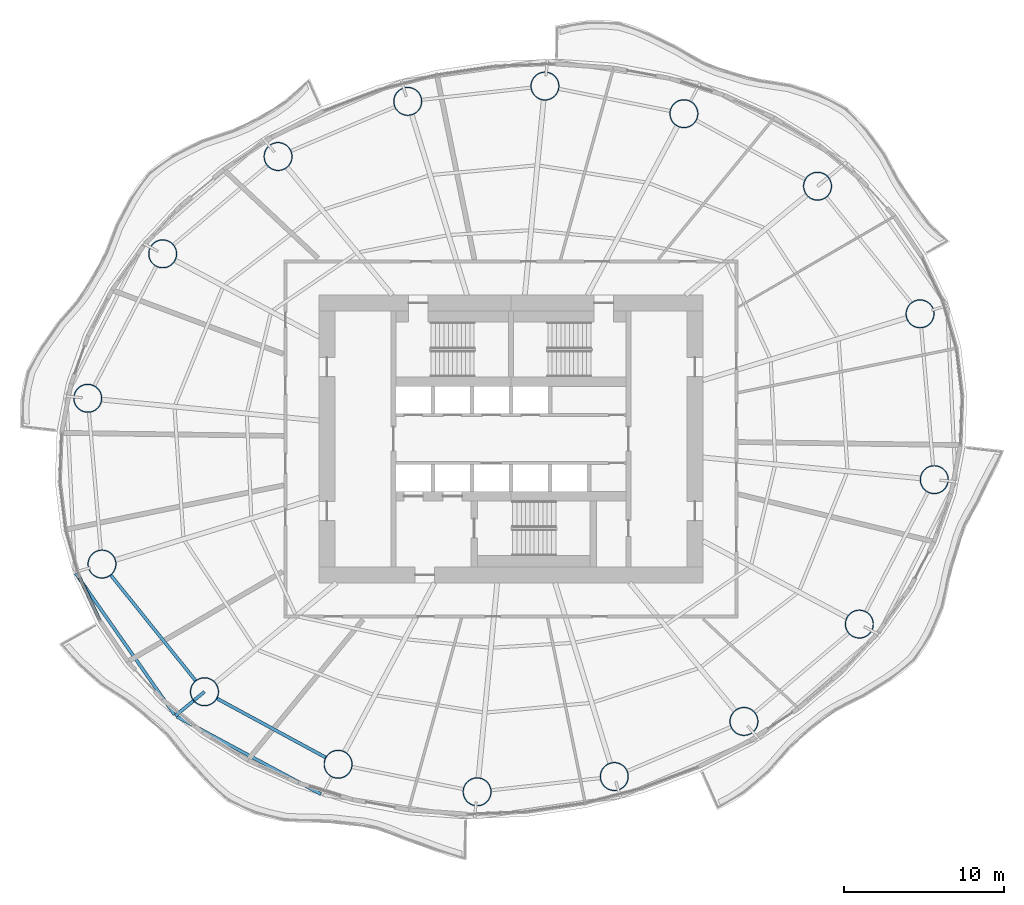
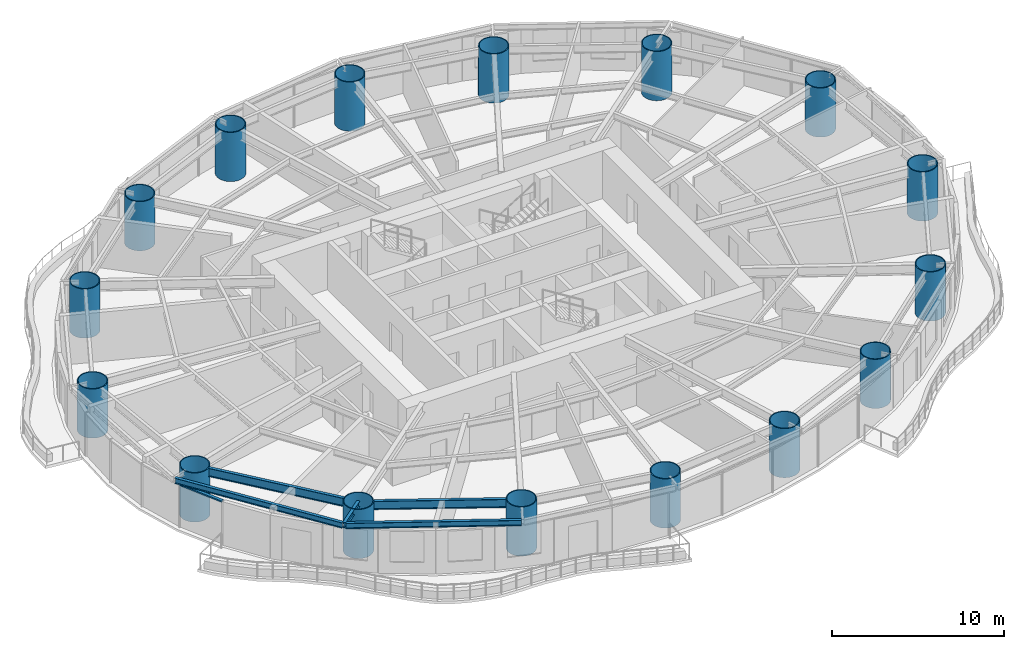
# One storey, part 1 of 16: 16 columns, 5 beams, 1 member, 1 element without a shape of its own.
"""IFC4 building model written with IfcOpenShell, lengths in metres."""

import ifcopenshell
import ifcopenshell.guid

model = None  # the IFC model being written
_history = None  # IfcOwnerHistory: only IFC2X3 demands one
_inside = {}  # id of a spatial element -> (the spatial element, [elements in it])
_under = {}  # id of a project, library or spatial element -> (it, [spatial elements below it])
_declared = {}  # id of a project -> (the project, [libraries it declares])
_typed = {}  # id of a type object -> (the type object, [elements of that type])
_made_of = {}  # id of a material, layer set ... -> (it, [elements and type objects made of it])


def new_model(schema):
    """Start an empty IFC model of exactly this schema.

    Asked for "IFC4X3", IfcOpenShell would pick the latest addendum, in which some entities
    have other attributes; the version numbers below select the first issue.
    IFC2X3 requires an IfcOwnerHistory on every rooted entity: one is made here for all.
    """
    global model, _history
    if schema == "IFC4X3":
        model = ifcopenshell.file(schema_version=(4, 3, 0, 0))
    else:
        model = ifcopenshell.file(schema=schema)
    _inside.clear()
    _under.clear()
    _declared.clear()
    _typed.clear()
    _made_of.clear()
    _history = None
    if model.schema == "IFC2X3":
        org = make("IfcOrganization", Name="unknown")
        user = make(
            "IfcPersonAndOrganization",
            ThePerson=make("IfcPerson", FamilyName="unknown"),
            TheOrganization=org,
        )
        app = make(
            "IfcApplication",
            ApplicationDeveloper=org,
            Version="unknown",
            ApplicationFullName="unknown",
            ApplicationIdentifier="unknown",
        )
        _history = make(
            "IfcOwnerHistory",
            OwningUser=user,
            OwningApplication=app,
            ChangeAction="ADDED",
            CreationDate=0,
        )
    return model


def make(cls, **values):
    """One entity of the class cls with the attributes given. An attribute that is None is left unset."""
    return model.create_entity(
        cls, **{name: value for name, value in values.items() if value is not None}
    )


def rooted(cls, **values):
    """An entity with a GlobalId (a new one), such as an element, a storey or a relation."""
    return make(cls, GlobalId=ifcopenshell.guid.new(), OwnerHistory=_history, **values)


def si_unit(unit_type, name, prefix=None):
    """IfcSIUnit, for example si_unit("LENGTHUNIT", "METRE", prefix="MILLI")."""
    return make("IfcSIUnit", UnitType=unit_type, Prefix=prefix, Name=name)


def assignment(units):
    """IfcUnitAssignment: the units of a project."""
    return None if units is None else make("IfcUnitAssignment", Units=units)


def point(xyz):
    """IfcCartesianPoint."""
    return None if xyz is None else make("IfcCartesianPoint", Coordinates=xyz)


def direction(xyz):
    """IfcDirection."""
    return None if xyz is None else make("IfcDirection", DirectionRatios=xyz)


def frame(location, z_axis=None, x_axis=None):
    """IfcAxis2Placement3D, a coordinate frame: its origin and axes. An axis left out is left unset."""
    return make(
        "IfcAxis2Placement3D",
        Location=point(location),
        Axis=direction(z_axis),
        RefDirection=direction(x_axis),
    )


def frame_2d(location, x_axis=None):
    """IfcAxis2Placement2D, a coordinate frame in the plane: its origin and x axis."""
    return make(
        "IfcAxis2Placement2D", Location=point(location), RefDirection=direction(x_axis)
    )


def origin():
    """The frame at (0, 0, 0) with its axes left unset."""
    return frame((0.0, 0.0, 0.0))


def origin_2d():
    """The frame at (0, 0) in the plane with its x axis left unset."""
    return frame_2d((0.0, 0.0))


def place(relative_to, where):
    """IfcLocalPlacement: puts the frame where relative to a parent placement (None: the world)."""
    return make(
        "IfcLocalPlacement", PlacementRelTo=relative_to, RelativePlacement=where
    )


def context(
    kind, dimensions, precision=None, world=None, true_north=None, identifier=None
):
    """IfcGeometricRepresentationContext, for example the 3D "Model" context."""
    return make(
        "IfcGeometricRepresentationContext",
        ContextIdentifier=identifier,
        ContextType=kind,
        CoordinateSpaceDimension=dimensions,
        Precision=precision,
        WorldCoordinateSystem=world,
        TrueNorth=true_north,
    )


def subcontext(parent, identifier, kind, view, scale=None):
    """IfcGeometricRepresentationSubContext, for example "Body" below "Model"."""
    return make(
        "IfcGeometricRepresentationSubContext",
        ContextIdentifier=identifier,
        ContextType=kind,
        ParentContext=parent,
        TargetScale=scale,
        TargetView=view,
    )


def project(units=None, contexts=None):
    """IfcProject with its units and contexts."""
    return rooted(
        "IfcProject",
        Name="project",
        RepresentationContexts=contexts,
        UnitsInContext=assignment(units),
    )


def spatial(cls, under=None, at=None, **own):
    """A site, building, storey or space (cls), placed at a placement, below another one or the project."""
    s = rooted(cls, ObjectPlacement=at, **own)
    if under is not None:
        _under.setdefault(under.id(), (under, []))[1].append(s)
    return s


def profile(cls, at=None, kind="AREA", **sizes):
    """A parametric profile (cls). Its sizes go by their IFC names, for example OverallWidth=200.0."""
    return make(cls, ProfileType=kind, Position=at, **sizes)


def rectangle(**sizes):
    """IfcRectangleProfileDef."""
    return profile("IfcRectangleProfileDef", **sizes)


def hollow_circle(**sizes):
    """IfcCircleHollowProfileDef."""
    return profile("IfcCircleHollowProfileDef", **sizes)


def i_section(**sizes):
    """IfcIShapeProfileDef."""
    return profile("IfcIShapeProfileDef", **sizes)


def extrude(swept, where, along, depth):
    """IfcExtrudedAreaSolid: the profile swept, set in the frame where, extruded along a direction by depth."""
    return make(
        "IfcExtrudedAreaSolid",
        SweptArea=swept,
        Position=where,
        ExtrudedDirection=direction(along),
        Depth=depth,
    )


def shape(context_of_items, identifier, shape_type, items):
    """IfcShapeRepresentation: the items that make up one representation, for example the "Body"."""
    return make(
        "IfcShapeRepresentation",
        ContextOfItems=context_of_items,
        RepresentationIdentifier=identifier,
        RepresentationType=shape_type,
        Items=items,
    )


def material(Name=None, Category=None):
    """IfcMaterial."""
    return make("IfcMaterial", Name=Name, Category=Category)


def material_profile(
    of_material, cross_section, Name=None, Category=None, Priority=None
):
    """IfcMaterialProfile: a cross section and its material."""
    return make(
        "IfcMaterialProfile",
        Name=Name,
        Material=of_material,
        Profile=cross_section,
        Priority=Priority,
        Category=Category,
    )


def profile_set(profiles, Name=None, composite=None):
    """IfcMaterialProfileSet."""
    return make(
        "IfcMaterialProfileSet",
        Name=Name,
        MaterialProfiles=profiles,
        CompositeProfile=composite,
    )


def made_of(thing, what):
    """Note that an element or type object is made of a material, layer set ...; save() writes the relation."""
    if what is not None:
        _made_of.setdefault(what.id(), (what, []))[1].append(thing)
    return thing


def type_object(cls, material=None, **own):
    """A type object (cls), such as IfcWallType, which elements share."""
    return made_of(rooted(cls, **own), material)


def element(
    cls,
    number,
    at=None,
    inside=None,
    cuts=None,
    type_object=None,
    material=None,
    context=None,
    identifier="Body",
    shape_type=None,
    held_by="IfcProductDefinitionShape",
    body=None,
    shapes=None,
    **own,
):
    """One element of the class cls, such as IfcWall. Its Tag is "e" and its number.

    at: its placement. inside: the storey or other place that contains it. cuts: it is an
    opening in that element (IfcRelVoidsElement). A single representation is given by context,
    identifier, shape_type and body (its items); several are given by shapes. held_by: the class
    of the entity that holds the representations. save() writes the other relations.
    """
    e = rooted(cls, Tag="e%d" % number, ObjectPlacement=at, **own)
    if body is not None:
        shapes = [shape(context, identifier, shape_type, body)]
    if shapes is not None:
        e.Representation = make(held_by, Representations=shapes)
    if inside is not None:
        _inside.setdefault(inside.id(), (inside, []))[1].append(e)
    if cuts is not None:
        rooted(
            "IfcRelVoidsElement", RelatingBuildingElement=cuts, RelatedOpeningElement=e
        )
    if type_object is not None:
        _typed.setdefault(type_object.id(), (type_object, []))[1].append(e)
    return made_of(e, material)


def aggregate(whole, parts):
    """IfcRelAggregates: a whole, such as a stair, and the parts it consists of."""
    return rooted("IfcRelAggregates", RelatingObject=whole, RelatedObjects=parts)


def save(model, path):
    """Write the relations noted so far, then the file.

    IfcRelAggregates (storeys below a building ...), IfcRelContainedInSpatialStructure (elements
    in a storey), IfcRelDefinesByType, IfcRelAssociatesMaterial and IfcRelDeclares: one each for
    every whole, place, type object, material and project.
    """
    for whole, parts in _under.values():
        aggregate(whole, parts)
    for where, things in _inside.values():
        rooted(
            "IfcRelContainedInSpatialStructure",
            RelatedElements=things,
            RelatingStructure=where,
        )
    for kind, things in _typed.values():
        rooted("IfcRelDefinesByType", RelatedObjects=things, RelatingType=kind)
    for what, things in _made_of.values():
        rooted("IfcRelAssociatesMaterial", RelatedObjects=things, RelatingMaterial=what)
    for by, libraries in _declared.values():
        rooted("IfcRelDeclares", RelatingContext=by, RelatedDefinitions=libraries)
    model.write(path)


model = new_model("IFC4")

# Units and contexts
model_context = context("Model", 3, precision=1e-05, world=origin(), true_north=direction((0.0, 1.0)))
body_context = subcontext(model_context, "Body", "Model", "MODEL_VIEW")
ifc_project = project(units=[si_unit("LENGTHUNIT", "METRE"), si_unit("AREAUNIT", "SQUARE_METRE"), si_unit("VOLUMEUNIT", "CUBIC_METRE"), si_unit("PLANEANGLEUNIT", "RADIAN"), si_unit("MASSUNIT", "GRAM", prefix="KILO")], contexts=[model_context])

# Site, building, storey
site_placement = place(None, origin())
site = spatial("IfcSite", under=ifc_project, at=site_placement, CompositionType="ELEMENT")
building_placement = place(site_placement, origin())
building = spatial("IfcBuilding", under=site, at=building_placement, Name="Vermilion Reach Broadcast Tower", CompositionType="ELEMENT")
storey_placement = place(building_placement, frame((0.0, 0.0, 80.39990234375)))
storey = spatial("IfcBuildingStorey", under=building, at=storey_placement, Name="L17", CompositionType="ELEMENT", Elevation=80.39990234375)

# Columns
ifc_material_1 = material(Name="Concrete C80 infill in steel S460NL tube", Category="concrete")
ifc_material_profile_1 = material_profile(ifc_material_1, hollow_circle(Radius=0.89990234375, WallThickness=0.06005859375, at=origin_2d()), Name="Concrete C80 infill in steel S460NL tube CFT 1800x60")
ifc_profile_set_1 = profile_set([ifc_material_profile_1], Name="Concrete C80 infill in steel S460NL tube")
column_type = type_object("IfcColumnType", Name="MC1 CFT 1800x60", PredefinedType="COLUMN", material=ifc_profile_set_1)
for number, where, z_axis, x_axis, name in (
    (1, (19.575439453125, 7.823974609375, 0.0), (0.0, 0.0, 1.0), (1.0, 0.0, 0.0), "Mega-column MC1-01"),
    (2, (13.166259765625, 15.804931640625, 0.0), (0.0, 0.0, 1.0), (1.0, 0.0, 0.0), "Mega-column MC1-02"),
    (3, (4.809814453125, 20.3388671875, 0.0), (0.0, 0.0, 1.0), (1.0, 0.0, 0.0), "Mega-column MC1-03"),
    (4, (-3.87939453125, 22.06396484375, 0.0), (0.0, 0.0, 1.0), (1.0, 0.0, 0.0), "Mega-column MC1-04"),
    (5, (-12.45751953125, 21.108154296875, 0.0), (0.0, 0.0, 1.0), (1.0, 0.0, 0.0), "Mega-column MC1-05"),
    (6, (-20.563232421875, 17.660400390625, 0.0), (0.0, 0.0, 1.0), (1.0, 0.0, 0.0), "Mega-column MC1-06"),
    (7, (-27.77978515625, 11.57568359375, 0.0), (0.0, 0.0, 1.0), (1.0, 0.0, 0.0), "Mega-column MC1-07"),
    (8, (-32.464111328125, 2.54345703125, 0.0), (0.0, 0.0, 1.0), (1.0, 0.0, 0.0), "Mega-column MC1-08"),
    (9, (-31.575439453125, -7.823974609375, 0.0), (0.0, 0.0, 1.0), (1.0, 0.0, 0.0), "Mega-column MC1-09"),
    (10, (-25.166259765625, -15.804931640625, 0.0), (0.0, 0.0, 1.0), (1.0, 0.0, 0.0), "Mega-column MC1-10"),
    (11, (-16.809814453125, -20.3388671875, 0.0), (0.0, 0.0, 1.0), (1.0, 0.0, 0.0), "Mega-column MC1-11"),
    (12, (-8.12060546875, -22.06396484375, 0.0), (0.0, 0.0, 1.0), (1.0, 0.0, 0.0), "Mega-column MC1-12"),
    (13, (0.45751953125, -21.108154296875, 0.0), (0.0, 0.0, 1.0), (1.0, 0.0, 0.0), "Mega-column MC1-13"),
    (14, (8.563232421875, -17.660400390625, 0.0), (0.0, 0.0, 1.0), (1.0, 0.0, 0.0), "Mega-column MC1-14"),
    (15, (15.77978515625, -11.57568359375, 0.0), (0.0, 0.0, 1.0), (1.0, 0.0, 0.0), "Mega-column MC1-15"),
    (16, (20.464111328125, -2.54345703125, 0.0), (0.0, 0.0, 1.0), (1.0, 0.0, 0.0), "Mega-column MC1-16"),
):
    element("IfcColumn", number, at=place(storey_placement, frame(where, z_axis=z_axis, x_axis=x_axis)), inside=storey, type_object=column_type, Name=name, PredefinedType="COLUMN", context=body_context, shape_type="SweptSolid", body=[
        extrude(hollow_circle(Radius=0.89990234375, WallThickness=0.06005859375, at=origin_2d()), origin(), (0.0, 0.0, 1.0), 3.5),
    ])

# Beams
ifc_material_2 = material(Name="Steel S355J2", Category="steel")
ifc_material_profile_2 = material_profile(ifc_material_2, i_section(OverallWidth=0.199951171875, OverallDepth=0.39990234375, WebThickness=0.008056640625, FlangeThickness=0.012939453125, at=origin_2d()), Name="S355J2 HN 400x200x8x13")
ifc_profile_set_2 = profile_set([ifc_material_profile_2], Name="Steel S355J2")
beam_type_1 = type_object("IfcBeamType", Name="EB1 HN 400x200x8x13", PredefinedType="BEAM", material=ifc_profile_set_2)
beam_1_placement = place(storey_placement, frame((-33.218505859375, -8.405029296875, 3.300048828125), z_axis=(0.573165524951, -0.81943961401, 0.0), x_axis=(0.81943961401, 0.573165524951, 0.0)))
element("IfcBeam", 17, at=beam_1_placement, inside=storey, type_object=beam_type_1, Name="Edge beam EB1-09", PredefinedType="BEAM", context=body_context, shape_type="SweptSolid", body=[
    extrude(i_section(OverallWidth=0.199951171875, OverallDepth=0.39990234375, WebThickness=0.008056640625, FlangeThickness=0.012939453125, at=origin_2d()), origin(), (0.0, 0.0, 1.0), 10.765869140625),
])
beam_2_placement = place(storey_placement, frame((-26.895263671875, -17.3603515625, 3.300048828125), z_axis=(0.880681774004, -0.473708362748, 0.0), x_axis=(0.473708362748, 0.880681774004, 0.0)))
element("IfcBeam", 18, at=beam_2_placement, inside=storey, type_object=beam_type_1, Name="Edge beam EB1-10", PredefinedType="BEAM", context=body_context, shape_type="SweptSolid", body=[
    extrude(i_section(OverallWidth=0.199951171875, OverallDepth=0.39990234375, WebThickness=0.008056640625, FlangeThickness=0.012939453125, at=origin_2d()), origin(), (0.0, 0.0, 1.0), 10.228759765625),
])
ifc_material_3 = material(Name="Steel S355J2", Category="steel")
ifc_material_profile_3 = material_profile(ifc_material_3, i_section(OverallWidth=0.199951171875, OverallDepth=0.39990234375, WebThickness=0.008056640625, FlangeThickness=0.012939453125, at=origin_2d()), Name="S355J2 HN 400x200x8x13")
ifc_profile_set_3 = profile_set([ifc_material_profile_3], Name="Steel S355J2")
beam_type_2 = type_object("IfcBeamType", Name="GC1 HN 400x200x8x13", PredefinedType="BEAM", material=ifc_profile_set_3)
beam_3_placement = place(storey_placement, frame((-25.166259765625, -15.804931640625, 3.300048828125), z_axis=(-0.771494908414, -0.636235495938, 0.0), x_axis=(0.636235495938, -0.771494908414, 0.0)))
element("IfcBeam", 19, at=beam_3_placement, inside=storey, type_object=beam_type_2, Name="Cantilever girder GC1-10", PredefinedType="BEAM", context=body_context, shape_type="SweptSolid", body=[
    extrude(i_section(OverallWidth=0.199951171875, OverallDepth=0.39990234375, WebThickness=0.008056640625, FlangeThickness=0.012939453125, at=origin_2d()), origin(), (0.0, 0.0, 1.0), 2.364501953125),
])
ifc_material_4 = material(Name="Steel S355J2", Category="steel")
ifc_material_profile_4 = material_profile(ifc_material_4, i_section(OverallWidth=0.199951171875, OverallDepth=0.60009765625, WebThickness=0.010986328125, FlangeThickness=0.01708984375, at=origin_2d()), Name="S355J2 HN 600x200x11x17")
ifc_profile_set_4 = profile_set([ifc_material_profile_4], Name="Steel S355J2")
beam_type_3 = type_object("IfcBeamType", Name="RB1 HN 600x200x11x17", PredefinedType="BEAM", material=ifc_profile_set_4)
beam_4_placement = place(storey_placement, frame((-31.011962890625, -8.52587890625, 3.2001953125), z_axis=(0.626162157191, -0.779692858055, 0.0), x_axis=(0.779692858055, 0.626162157191, 0.0)))
element("IfcBeam", 20, at=beam_4_placement, inside=storey, type_object=beam_type_3, Name="Ring beam RB1-09", PredefinedType="BEAM", context=body_context, shape_type="SweptSolid", body=[
    extrude(i_section(OverallWidth=0.199951171875, OverallDepth=0.60009765625, WebThickness=0.010986328125, FlangeThickness=0.01708984375, at=origin_2d()), origin(), (0.0, 0.0, 1.0), 8.435791015625),
])
beam_5_placement = place(storey_placement, frame((-24.375244140625, -16.234130859375, 3.2001953125), z_axis=(0.878962319551, -0.476891225344, 0.0), x_axis=(0.476891225344, 0.878962319551, 0.0)))
element("IfcBeam", 21, at=beam_5_placement, inside=storey, type_object=beam_type_3, Name="Ring beam RB1-10", PredefinedType="BEAM", context=body_context, shape_type="SweptSolid", body=[
    extrude(i_section(OverallWidth=0.199951171875, OverallDepth=0.60009765625, WebThickness=0.010986328125, FlangeThickness=0.01708984375, at=origin_2d()), origin(), (0.0, 0.0, 1.0), 7.707275390625),
])

# Curtain wall, member
ifc_material_5 = material(Name="Low-e laminated clear glass in aluminium frame", Category="aluminium")
curtain_wall_type = type_object("IfcCurtainWallType", Name="Slot curtain wall", PredefinedType="NOTDEFINED", material=ifc_material_5)
curtain_wall_placement = place(storey_placement, origin())
curtain_wall = element("IfcCurtainWall", 22, at=curtain_wall_placement, inside=storey, type_object=curtain_wall_type, Name="Slot curtain wall L17 25", PredefinedType="NOTDEFINED")
ifc_material_6 = material(Name="Anodised aluminium", Category="aluminium")
ifc_material_profile_5 = material_profile(ifc_material_6, rectangle(XDim=0.199951171875, YDim=0.10009765625, at=origin_2d()), Name="Slot transom 200 x 100")
ifc_profile_set_5 = profile_set([ifc_material_profile_5], Name="Anodised aluminium")
member_type = type_object("IfcMemberType", Name="Slot transom 200 x 100", PredefinedType="USERDEFINED", material=ifc_profile_set_5)
member_placement = place(storey_placement, frame((-32.986083984375, -8.6259765625, 3.050048828125), z_axis=(0.425185292569, -0.905106329103, 0.0), x_axis=(0.905106329103, 0.425185292569, 0.0)))
member = element("IfcMember", 23, at=member_placement, type_object=member_type, Name="Slot transom L17 25.1", ObjectType="TRANSOM", PredefinedType="USERDEFINED", context=body_context, shape_type="SweptSolid", body=[
    extrude(rectangle(XDim=0.199951171875, YDim=0.10009765625, at=origin_2d()), origin(), (0.0, 0.0, 1.0), 2.9794921875),
])
aggregate(curtain_wall, [member])

save(model, "model.ifc")
